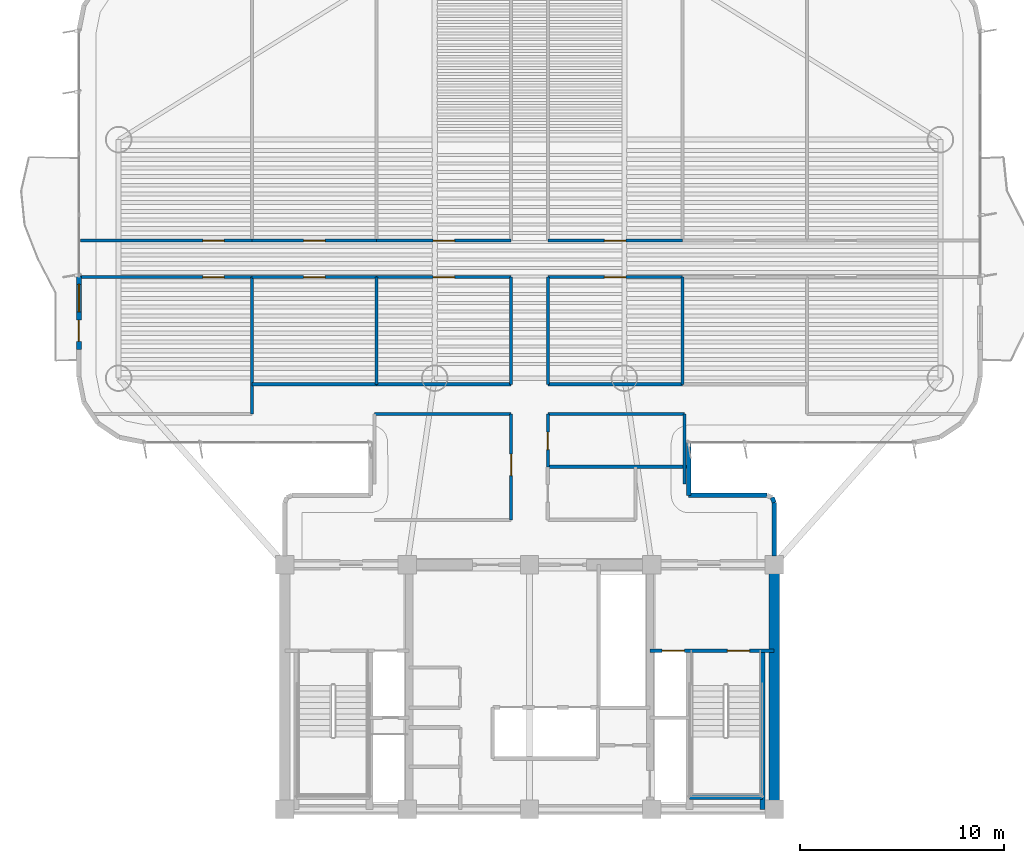
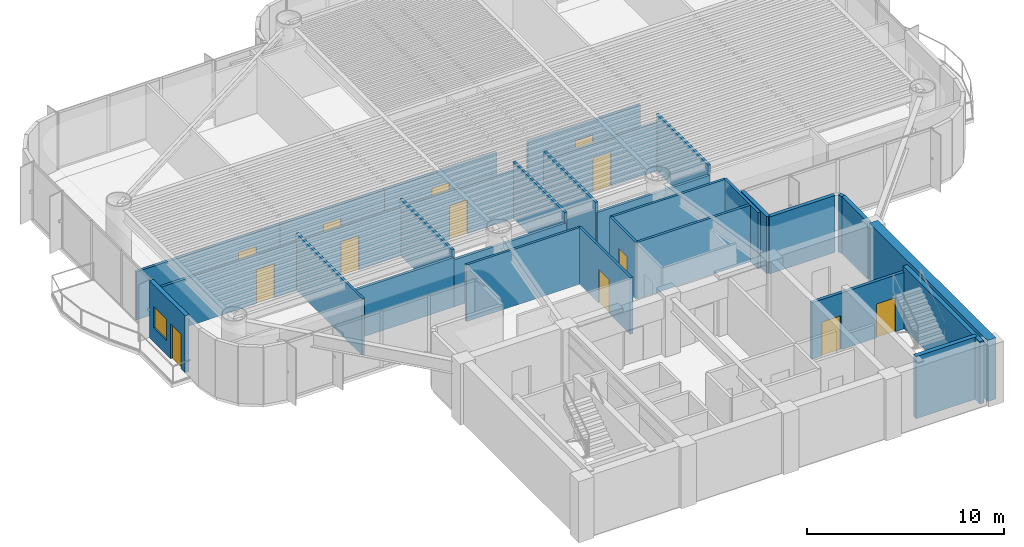
# One storey, part 10 of 16: 31 walls, 13 doors, 1 window, 14 openings.
"""IFC4 building model written with IfcOpenShell, lengths in metres."""

from ifc_helpers import new_model, si_unit, direction, frame, frame_2d, origin, origin_2d, place, context, subcontext, project, spatial, rectangle, extrude, source, transform, mapped, material, layer, layer_set, type_object, element, fill, save


model = new_model("IFC4")

# Units and contexts
model_context = context("Model", 3, precision=1e-05, world=origin(), true_north=direction((0.0, 1.0)))
body_context = subcontext(model_context, "Body", "Model", "MODEL_VIEW")
ifc_project = project(units=[si_unit("LENGTHUNIT", "METRE"), si_unit("AREAUNIT", "SQUARE_METRE"), si_unit("VOLUMEUNIT", "CUBIC_METRE"), si_unit("PLANEANGLEUNIT", "RADIAN"), si_unit("MASSUNIT", "GRAM", prefix="KILO")], contexts=[model_context])

# Site, building, storey
site_placement = place(None, origin())
site = spatial("IfcSite", under=ifc_project, at=site_placement, CompositionType="ELEMENT")
building_placement = place(site_placement, origin())
building = spatial("IfcBuilding", under=site, at=building_placement, Name="Brelvock Crest Care Tower", CompositionType="ELEMENT")
storey_placement = place(building_placement, frame((0.0, 0.0, 116.280029296875)))
storey = spatial("IfcBuildingStorey", under=building, at=storey_placement, Name="L29", CompositionType="ELEMENT", Elevation=116.280029296875)

# Walls
ifc_material_1 = material(Name="Concrete S80 (80 MPa)", Category="concrete")
ifc_layer_1 = layer(ifc_material_1, 0.5, Name="WL-CS2")
ifc_layer_set_1 = layer_set([ifc_layer_1], Name="Concrete S80 (80 MPa)")
wall_type_1 = type_object("IfcWallType", Name="WL-CS2", PredefinedType="SHEAR", material=ifc_layer_set_1)
wall_1_placement = place(storey_placement, frame((48.0, 18.0, 0.0), z_axis=(0.0, 0.0, 1.0), x_axis=(0.0, -1.0, 0.0)))
element("IfcWall", 1, at=wall_1_placement, inside=storey, type_object=wall_type_1, Name="L29 Core East Shear Wall", PredefinedType="SHEAR", context=body_context, shape_type="SweptSolid", body=[
    extrude(rectangle(XDim=12.0, YDim=0.5, at=frame_2d((6.0, 0.0))), origin(), (0.0, 0.0, 1.0), 3.780029296875),
])
ifc_layer_2 = layer(ifc_material_1, 0.25, Name="WL-CS6")
ifc_layer_set_2 = layer_set([ifc_layer_2], Name="Concrete S80 (80 MPa)")
wall_type_2 = type_object("IfcWallType", Name="WL-CS6", PredefinedType="SHEAR", material=ifc_layer_set_2)
wall_2_placement = place(storey_placement, frame((47.419921875, 6.0, 0.0), z_axis=(0.0, 0.0, 1.0), x_axis=(0.0, 1.0, 0.0)))
element("IfcWall", 2, at=wall_2_placement, inside=storey, type_object=wall_type_2, Name="L29 Core Stair ST-2 East Shear Wall", PredefinedType="SHEAR", context=body_context, shape_type="SweptSolid", body=[
    extrude(rectangle(XDim=7.780029296875, YDim=0.25, at=frame_2d((3.89013671875, 0.0))), origin(), (0.0, 0.0, 1.0), 3.849853515625),
])
wall_3_placement = place(storey_placement, frame((43.85009765625, 6.6201171875, 0.0), z_axis=(0.0, 0.0, 1.0), x_axis=(1.0, 0.0, 0.0)))
element("IfcWall", 3, at=wall_3_placement, inside=storey, type_object=wall_type_2, Name="L29 Core Stair ST-2 South Shear Wall", PredefinedType="SHEAR", context=body_context, shape_type="SweptSolid", body=[
    extrude(rectangle(XDim=3.56982421875, YDim=0.25, at=frame_2d((1.784912109375, 0.0))), origin(), (0.0, 0.0, 1.0), 3.849853515625),
])

# Wall, openings, door, window
ifc_material_2 = material(Name="Precast concrete N40 (40 MPa)", Category="concrete")
ifc_layer_3 = layer(ifc_material_2, 0.239990234375, Name="WL-EX1")
ifc_layer_set_3 = layer_set([ifc_layer_3], Name="Precast concrete N40 (40 MPa)")
wall_type_3 = type_object("IfcWallType", Name="WL-EX1", PredefinedType="SOLIDWALL", material=ifc_layer_set_3)
wall_4_placement = place(storey_placement, frame((13.89990234375, 28.550048828125, 0.0), z_axis=(0.0, 0.0, 1.0), x_axis=(0.0, 1.0, 0.0)))
wall_4 = element("IfcWall", 4, at=wall_4_placement, inside=storey, type_object=wall_type_3, Name="L29 Exterior Spandrel Wall WL-BAL-L29-W", PredefinedType="SOLIDWALL", context=body_context, shape_type="SweptSolid", body=[
    extrude(rectangle(XDim=3.599853515625, YDim=0.239990234375, at=frame_2d((1.7998046875, 0.0))), origin(), (0.0, 0.0, 1.0), 3.530029296875),
])
opening_1_placement = place(wall_4_placement, frame((0.39990234375, 0.0, 0.0)))
opening_1 = element("IfcOpeningElement", 5, at=opening_1_placement, cuts=wall_4, Name="Opening BD-1", PredefinedType="OPENING", context=body_context, shape_type="SweptSolid", body=[
    extrude(rectangle(XDim=1.050048828125, YDim=2.14990234375, at=origin_2d()), frame((0.52490234375, 0.1298828125, 1.074951171875), z_axis=(0.0, -1.0, 0.0), x_axis=(1.0, 0.0, 0.0)), (0.0, 0.0, 1.0), 0.260009765625),
])
opening_2_placement = place(wall_4_placement, frame((1.85009765625, 0.0, 0.85009765625)))
opening_2 = element("IfcOpeningElement", 6, at=opening_2_placement, cuts=wall_4, Name="Opening W-01", PredefinedType="OPENING", context=body_context, shape_type="SweptSolid", body=[
    extrude(rectangle(XDim=1.35009765625, YDim=1.35009765625, at=origin_2d()), frame((0.675048828125, 0.1298828125, 0.675048828125), z_axis=(0.0, -1.0, 0.0), x_axis=(1.0, 0.0, 0.0)), (0.0, 0.0, 1.0), 0.260009765625),
])
ifc_material_3 = material(Name="Dark Glass Double Glazed Low-E", Category="glass")
door_type_1 = type_object("IfcDoorType", Name="DR-BAL1", OperationType="NOTDEFINED", PredefinedType="DOOR", material=ifc_material_3)
shared_shape_1 = source(origin(), body_context, "Body", "SweptSolid", [
    extrude(rectangle(XDim=1.050048828125, YDim=2.14990234375, at=origin_2d()), frame((0.52490234375, 0.02490234375, 1.074951171875), z_axis=(0.0, -1.0, 0.0), x_axis=(1.0, 0.0, 0.0)), (0.0, 0.0, 1.0), 0.050048828125),
])
door_1_placement = place(opening_1_placement, origin())
door_1 = element("IfcDoor", 7, at=door_1_placement, inside=storey, type_object=door_type_1, Name="L29 W Wave Balcony Glazed Door", OperationType="SINGLE_SWING_LEFT", OverallHeight=2.14990234375, OverallWidth=1.050048828125, PredefinedType="DOOR", context=body_context, shape_type="MappedRepresentation", body=[
    mapped(shared_shape_1, transform((0.0, 0.0, 0.0), x_axis=(1.0, 0.0, 0.0), y_axis=(0.0, 1.0, 0.0), z_axis=(0.0, 0.0, 1.0), scale=1.0)),
])
fill(opening_1, door_1)
window_type = type_object("IfcWindowType", Name="WN-EX1", PartitioningType="SINGLE_PANEL", PredefinedType="WINDOW", material=ifc_material_3)
shared_shape_2 = source(origin(), body_context, "Body", "SweptSolid", [
    extrude(rectangle(XDim=1.35009765625, YDim=1.35009765625, at=origin_2d()), frame((0.675048828125, 0.030029296875, 0.675048828125), z_axis=(0.0, -1.0, 0.0), x_axis=(1.0, 0.0, 0.0)), (0.0, 0.0, 1.0), 0.06005859375),
])
window_placement = place(opening_2_placement, origin())
window = element("IfcWindow", 8, at=window_placement, inside=storey, type_object=window_type, Name="L29 W Suite Casement Window", OverallHeight=1.35009765625, OverallWidth=1.35009765625, PartitioningType="SINGLE_PANEL", PredefinedType="WINDOW", context=body_context, shape_type="MappedRepresentation", body=[
    mapped(shared_shape_2, transform((0.0, 0.0, 0.0), x_axis=(1.0, 0.0, 0.0), y_axis=(0.0, 1.0, 0.0), z_axis=(0.0, 0.0, 1.0), scale=1.0)),
])
fill(opening_2, window)

# Walls
ifc_layer_4 = layer(ifc_material_2, 0.215087890625, Name="WL-EX2")
ifc_layer_set_4 = layer_set([ifc_layer_4], Name="Precast concrete N40 (40 MPa)")
wall_type_4 = type_object("IfcWallType", Name="WL-EX2", PredefinedType="SOLIDWALL", material=ifc_layer_set_4)
wall_5_placement = place(storey_placement, frame((47.8974609375, 21.297607421875, 0.0), z_axis=(0.0, 0.0, 1.0), x_axis=(0.382673670509, -0.923883575944, 0.0)))
element("IfcWall", 9, at=wall_5_placement, inside=storey, type_object=wall_type_4, Name="L29 Rounded Corner Wall 00", PredefinedType="SOLIDWALL", context=body_context, shape_type="SweptSolid", body=[
    extrude(rectangle(XDim=0.26806640625, YDim=0.215087890625, at=frame_2d((0.134033203125, 0.0))), origin(), (0.0, 0.0, 1.0), 3.530029296875),
])
wall_6_placement = place(storey_placement, frame((48.0, 21.050048828125, 0.0), z_axis=(0.0, 0.0, 1.0), x_axis=(0.0, -1.0, 0.0)))
element("IfcWall", 10, at=wall_6_placement, inside=storey, type_object=wall_type_4, Name="L29 Rounded Corner Wall 01", PredefinedType="SOLIDWALL", context=body_context, shape_type="SweptSolid", body=[
    extrude(rectangle(XDim=2.6201171875, YDim=0.215087890625, at=frame_2d((1.31005859375, 0.0))), origin(), (0.0, 0.0, 1.0), 3.530029296875),
])
wall_7_placement = place(storey_placement, frame((43.800048828125, 24.0, 0.0), z_axis=(0.0, 0.0, 1.0), x_axis=(0.0, -1.0, 0.0)))
element("IfcWall", 11, at=wall_7_placement, inside=storey, type_object=wall_type_4, Name="L29 Rounded Corner Wall 45", PredefinedType="SOLIDWALL", context=body_context, shape_type="SweptSolid", body=[
    extrude(rectangle(XDim=2.60009765625, YDim=0.215087890625, at=frame_2d((1.300048828125, 0.0))), origin(), (0.0, 0.0, 1.0), 3.530029296875),
])
wall_8_placement = place(storey_placement, frame((43.800048828125, 21.39990234375, 0.0), z_axis=(0.0, 0.0, 1.0), x_axis=(1.0, 0.0, 0.0)))
element("IfcWall", 12, at=wall_8_placement, inside=storey, type_object=wall_type_4, Name="L29 Rounded Corner Wall 46", PredefinedType="SOLIDWALL", context=body_context, shape_type="SweptSolid", body=[
    extrude(rectangle(XDim=3.849853515625, YDim=0.215087890625, at=frame_2d((1.9248046875, 0.0))), origin(), (0.0, 0.0, 1.0), 3.530029296875),
])
ifc_material_4 = material(Name="Masonry Blockwork Acoustic Partition", Category="masonry")
ifc_layer_5 = layer(ifc_material_4, 0.14990234375, Name="WL-INT1")
ifc_layer_set_5 = layer_set([ifc_layer_5], Name="Masonry Blockwork Acoustic Partition")
wall_type_5 = type_object("IfcWallType", Name="WL-INT1", PredefinedType="PARTITIONING", material=ifc_layer_set_5)
for number, where, z_axis, x_axis, name in (
    (13, (28.39990234375, 25.39990234375, 0.0), (0.0, 0.0, 1.0), (1.0, 0.0, 0.0), "L29 Interior Wall WL-BX-L29-THW-N"),
    (14, (36.89990234375, 25.39990234375, 0.0), (0.0, 0.0, 1.0), (1.0, 0.0, 0.0), "L29 Interior Wall WL-BX-L29-THE2-N"),
):
    element("IfcWall", number, at=place(storey_placement, frame(where, z_axis=z_axis, x_axis=x_axis)), inside=storey, type_object=wall_type_5, Name=name, PredefinedType="PARTITIONING", context=body_context, shape_type="SweptSolid", body=[
        extrude(rectangle(XDim=6.7001953125, YDim=0.14990234375, at=frame_2d((3.35009765625, 0.0))), origin(), (0.0, 0.0, 1.0), 3.5),
    ])
wall_9_placement = place(storey_placement, frame((22.39990234375, 26.85009765625, 0.0), z_axis=(0.0, 0.0, 1.0), x_axis=(1.0, 0.0, 0.0)))
element("IfcWall", 15, at=wall_9_placement, inside=storey, type_object=wall_type_5, Name="L29 Interior Wall WL-BX-L29-ISWA-S", PredefinedType="PARTITIONING", context=body_context, shape_type="SweptSolid", body=[
    extrude(rectangle(XDim=6.10009765625, YDim=0.14990234375, at=frame_2d((3.050048828125, 0.0))), origin(), (0.0, 0.0, 1.0), 3.054931640625),
])
for number, where, z_axis, x_axis, name in (
    (16, (28.5, 26.85009765625, 0.0), (0.0, 0.0, 1.0), (1.0, 0.0, 0.0), "L29 Interior Wall WL-BX-L29-ISWB-S"),
    (17, (36.89990234375, 26.85009765625, 0.0), (0.0, 0.0, 1.0), (1.0, 0.0, 0.0), "L29 Interior Wall WL-BX-L29-ISEA-S"),
):
    element("IfcWall", number, at=place(storey_placement, frame(where, z_axis=z_axis, x_axis=x_axis)), inside=storey, type_object=wall_type_5, Name=name, PredefinedType="PARTITIONING", context=body_context, shape_type="SweptSolid", body=[
        extrude(rectangle(XDim=6.60009765625, YDim=0.14990234375, at=frame_2d((3.300048828125, 0.0))), origin(), (0.0, 0.0, 1.0), 2.903076171875),
    ])

# Wall, opening, door
wall_10_placement = place(storey_placement, frame((13.97998046875, 32.10009765625, 0.0), z_axis=(0.0, 0.0, 1.0), x_axis=(1.0, 0.0, 0.0)))
wall_10 = element("IfcWall", 18, at=wall_10_placement, inside=storey, type_object=wall_type_5, Name="L29 Interior Wall WL-RM-L29-SW", PredefinedType="PARTITIONING", context=body_context, shape_type="SweptSolid", body=[
    extrude(rectangle(XDim=8.419921875, YDim=0.14990234375, at=frame_2d((4.2099609375, 0.0))), origin(), (0.0, 0.0, 1.0), 2.98193359375),
])
opening_3_placement = place(wall_10_placement, frame((5.9951171875, 0.0, 0.0)))
opening_3 = element("IfcOpeningElement", 19, at=opening_3_placement, cuts=wall_10, Name="Opening CLD-1", PredefinedType="OPENING", context=body_context, shape_type="SweptSolid", body=[
    extrude(rectangle(XDim=1.050048828125, YDim=2.10009765625, at=origin_2d()), frame((0.52490234375, 0.0849609375, 1.050048828125), z_axis=(0.0, -1.0, 0.0), x_axis=(1.0, 0.0, 0.0)), (0.0, 0.0, 1.0), 0.169921875),
])
ifc_material_5 = material(Name="Engineered Hardwood Timber", Category="wood")
door_type_2 = type_object("IfcDoorType", Name="DR-CLN1", OperationType="NOTDEFINED", PredefinedType="DOOR", material=ifc_material_5)
shared_shape_3 = source(origin(), body_context, "Body", "SweptSolid", [
    extrude(rectangle(XDim=1.050048828125, YDim=2.10009765625, at=origin_2d()), frame((0.52490234375, 0.02490234375, 1.050048828125), z_axis=(0.0, -1.0, 0.0), x_axis=(1.0, 0.0, 0.0)), (0.0, 0.0, 1.0), 0.050048828125),
])
door_2_placement = place(opening_3_placement, origin())
door_2 = element("IfcDoor", 20, at=door_2_placement, inside=storey, type_object=door_type_2, Name="L29 Rehabilitation Therapy Suite Door SW", OperationType="SINGLE_SWING_LEFT", OverallHeight=2.10009765625, OverallWidth=1.050048828125, PredefinedType="DOOR", context=body_context, shape_type="MappedRepresentation", body=[
    mapped(shared_shape_3, transform((0.0, 0.0, 0.0), x_axis=(1.0, 0.0, 0.0), y_axis=(0.0, 1.0, 0.0), z_axis=(0.0, 0.0, 1.0), scale=1.0)),
])
fill(opening_3, door_2)

wall_11_placement = place(storey_placement, frame((22.39990234375, 32.10009765625, 0.0), z_axis=(0.0, 0.0, 1.0), x_axis=(1.0, 0.0, 0.0)))
wall_11 = element("IfcWall", 21, at=wall_11_placement, inside=storey, type_object=wall_type_5, Name="L29 Interior Wall WL-RM-L29-ISWA", PredefinedType="PARTITIONING", context=body_context, shape_type="SweptSolid", body=[
    extrude(rectangle(XDim=6.10009765625, YDim=0.14990234375, at=frame_2d((3.050048828125, 0.0))), origin(), (0.0, 0.0, 1.0), 2.98193359375),
])
opening_4_placement = place(wall_11_placement, frame((2.52490234375, 0.0, 0.0)))
opening_4 = element("IfcOpeningElement", 22, at=opening_4_placement, cuts=wall_11, Name="Opening CLD-1", PredefinedType="OPENING", context=body_context, shape_type="SweptSolid", body=[
    extrude(rectangle(XDim=1.050048828125, YDim=2.10009765625, at=origin_2d()), frame((0.52490234375, 0.0849609375, 1.050048828125), z_axis=(0.0, -1.0, 0.0), x_axis=(1.0, 0.0, 0.0)), (0.0, 0.0, 1.0), 0.169921875),
])
door_3_placement = place(opening_4_placement, origin())
door_3 = element("IfcDoor", 23, at=door_3_placement, inside=storey, type_object=door_type_2, Name="L29 Occupational Rehab Gym Door ISWA", OperationType="SINGLE_SWING_LEFT", OverallHeight=2.10009765625, OverallWidth=1.050048828125, PredefinedType="DOOR", context=body_context, shape_type="MappedRepresentation", body=[
    mapped(shared_shape_3, transform((0.0, 0.0, 0.0), x_axis=(1.0, 0.0, 0.0), y_axis=(0.0, 1.0, 0.0), z_axis=(0.0, 0.0, 1.0), scale=1.0)),
])
fill(opening_4, door_3)

wall_12_placement = place(storey_placement, frame((28.5, 32.10009765625, 0.0), z_axis=(0.0, 0.0, 1.0), x_axis=(1.0, 0.0, 0.0)))
wall_12 = element("IfcWall", 24, at=wall_12_placement, inside=storey, type_object=wall_type_5, Name="L29 Interior Wall WL-RM-L29-ISWB", PredefinedType="PARTITIONING", context=body_context, shape_type="SweptSolid", body=[
    extrude(rectangle(XDim=6.60009765625, YDim=0.14990234375, at=frame_2d((3.300048828125, 0.0))), origin(), (0.0, 0.0, 1.0), 2.98193359375),
])
opening_5_placement = place(wall_12_placement, frame((2.77490234375, 0.0, 0.0)))
opening_5 = element("IfcOpeningElement", 25, at=opening_5_placement, cuts=wall_12, Name="Opening CLD-1", PredefinedType="OPENING", context=body_context, shape_type="SweptSolid", body=[
    extrude(rectangle(XDim=1.050048828125, YDim=2.10009765625, at=origin_2d()), frame((0.52490234375, 0.0849609375, 1.050048828125), z_axis=(0.0, -1.0, 0.0), x_axis=(1.0, 0.0, 0.0)), (0.0, 0.0, 1.0), 0.169921875),
])
door_4_placement = place(opening_5_placement, origin())
door_4 = element("IfcDoor", 26, at=door_4_placement, inside=storey, type_object=door_type_2, Name="L29 Geriatric Hydro-Consultation Door ISWB", OperationType="SINGLE_SWING_LEFT", OverallHeight=2.10009765625, OverallWidth=1.050048828125, PredefinedType="DOOR", context=body_context, shape_type="MappedRepresentation", body=[
    mapped(shared_shape_3, transform((0.0, 0.0, 0.0), x_axis=(1.0, 0.0, 0.0), y_axis=(0.0, 1.0, 0.0), z_axis=(0.0, 0.0, 1.0), scale=1.0)),
])
fill(opening_5, door_4)

wall_13_placement = place(storey_placement, frame((36.89990234375, 32.10009765625, 0.0), z_axis=(0.0, 0.0, 1.0), x_axis=(1.0, 0.0, 0.0)))
wall_13 = element("IfcWall", 27, at=wall_13_placement, inside=storey, type_object=wall_type_5, Name="L29 Interior Wall WL-RM-L29-ISEA", PredefinedType="PARTITIONING", context=body_context, shape_type="SweptSolid", body=[
    extrude(rectangle(XDim=6.60009765625, YDim=0.14990234375, at=frame_2d((3.300048828125, 0.0))), origin(), (0.0, 0.0, 1.0), 2.98193359375),
])
opening_6_placement = place(wall_13_placement, frame((2.77490234375, 0.0, 0.0)))
opening_6 = element("IfcOpeningElement", 28, at=opening_6_placement, cuts=wall_13, Name="Opening CLD-1", PredefinedType="OPENING", context=body_context, shape_type="SweptSolid", body=[
    extrude(rectangle(XDim=1.050048828125, YDim=2.10009765625, at=origin_2d()), frame((0.52490234375, 0.0849609375, 1.050048828125), z_axis=(0.0, -1.0, 0.0), x_axis=(1.0, 0.0, 0.0)), (0.0, 0.0, 1.0), 0.169921875),
])
door_5_placement = place(opening_6_placement, origin())
door_5 = element("IfcDoor", 29, at=door_5_placement, inside=storey, type_object=door_type_2, Name="L29 Occupational Rehab Gym Door ISEA", OperationType="SINGLE_SWING_LEFT", OverallHeight=2.10009765625, OverallWidth=1.050048828125, PredefinedType="DOOR", context=body_context, shape_type="MappedRepresentation", body=[
    mapped(shared_shape_3, transform((0.0, 0.0, 0.0), x_axis=(1.0, 0.0, 0.0), y_axis=(0.0, 1.0, 0.0), z_axis=(0.0, 0.0, 1.0), scale=1.0)),
])
fill(opening_6, door_5)

wall_14_placement = place(storey_placement, frame((13.97998046875, 33.89990234375, 0.0), z_axis=(0.0, 0.0, 1.0), x_axis=(1.0, 0.0, 0.0)))
wall_14 = element("IfcWall", 30, at=wall_14_placement, inside=storey, type_object=wall_type_5, Name="L29 Interior Wall WL-RM-L29-NW", PredefinedType="PARTITIONING", context=body_context, shape_type="SweptSolid", body=[
    extrude(rectangle(XDim=8.419921875, YDim=0.14990234375, at=frame_2d((4.2099609375, 0.0))), origin(), (0.0, 0.0, 1.0), 2.98193359375),
])
opening_7_placement = place(wall_14_placement, frame((5.9951171875, 0.0, 0.0)))
opening_7 = element("IfcOpeningElement", 31, at=opening_7_placement, cuts=wall_14, Name="Opening CLD-1", PredefinedType="OPENING", context=body_context, shape_type="SweptSolid", body=[
    extrude(rectangle(XDim=1.050048828125, YDim=2.10009765625, at=origin_2d()), frame((0.52490234375, 0.0849609375, 1.050048828125), z_axis=(0.0, -1.0, 0.0), x_axis=(1.0, 0.0, 0.0)), (0.0, 0.0, 1.0), 0.169921875),
])
door_6_placement = place(opening_7_placement, origin())
door_6 = element("IfcDoor", 32, at=door_6_placement, inside=storey, type_object=door_type_2, Name="L29 Rehabilitation Therapy Suite Door NW", OperationType="SINGLE_SWING_LEFT", OverallHeight=2.10009765625, OverallWidth=1.050048828125, PredefinedType="DOOR", context=body_context, shape_type="MappedRepresentation", body=[
    mapped(shared_shape_3, transform((0.0, 0.0, 0.0), x_axis=(1.0, 0.0, 0.0), y_axis=(0.0, 1.0, 0.0), z_axis=(0.0, 0.0, 1.0), scale=1.0)),
])
fill(opening_7, door_6)

wall_15_placement = place(storey_placement, frame((22.39990234375, 33.89990234375, 0.0), z_axis=(0.0, 0.0, 1.0), x_axis=(1.0, 0.0, 0.0)))
wall_15 = element("IfcWall", 33, at=wall_15_placement, inside=storey, type_object=wall_type_5, Name="L29 Interior Wall WL-RM-L29-INWA", PredefinedType="PARTITIONING", context=body_context, shape_type="SweptSolid", body=[
    extrude(rectangle(XDim=6.10009765625, YDim=0.14990234375, at=frame_2d((3.050048828125, 0.0))), origin(), (0.0, 0.0, 1.0), 2.98193359375),
])
opening_8_placement = place(wall_15_placement, frame((2.52490234375, 0.0, 0.0)))
opening_8 = element("IfcOpeningElement", 34, at=opening_8_placement, cuts=wall_15, Name="Opening CLD-1", PredefinedType="OPENING", context=body_context, shape_type="SweptSolid", body=[
    extrude(rectangle(XDim=1.050048828125, YDim=2.10009765625, at=origin_2d()), frame((0.52490234375, 0.0849609375, 1.050048828125), z_axis=(0.0, -1.0, 0.0), x_axis=(1.0, 0.0, 0.0)), (0.0, 0.0, 1.0), 0.169921875),
])
door_7_placement = place(opening_8_placement, origin())
door_7 = element("IfcDoor", 35, at=door_7_placement, inside=storey, type_object=door_type_2, Name="L29 Occupational Rehab Gym Door INWA", OperationType="SINGLE_SWING_LEFT", OverallHeight=2.10009765625, OverallWidth=1.050048828125, PredefinedType="DOOR", context=body_context, shape_type="MappedRepresentation", body=[
    mapped(shared_shape_3, transform((0.0, 0.0, 0.0), x_axis=(1.0, 0.0, 0.0), y_axis=(0.0, 1.0, 0.0), z_axis=(0.0, 0.0, 1.0), scale=1.0)),
])
fill(opening_8, door_7)

wall_16_placement = place(storey_placement, frame((28.5, 33.89990234375, 0.0), z_axis=(0.0, 0.0, 1.0), x_axis=(1.0, 0.0, 0.0)))
wall_16 = element("IfcWall", 36, at=wall_16_placement, inside=storey, type_object=wall_type_5, Name="L29 Interior Wall WL-RM-L29-INWB", PredefinedType="PARTITIONING", context=body_context, shape_type="SweptSolid", body=[
    extrude(rectangle(XDim=6.60009765625, YDim=0.14990234375, at=frame_2d((3.300048828125, 0.0))), origin(), (0.0, 0.0, 1.0), 2.98193359375),
])
opening_9_placement = place(wall_16_placement, frame((2.77490234375, 0.0, 0.0)))
opening_9 = element("IfcOpeningElement", 37, at=opening_9_placement, cuts=wall_16, Name="Opening CLD-1", PredefinedType="OPENING", context=body_context, shape_type="SweptSolid", body=[
    extrude(rectangle(XDim=1.050048828125, YDim=2.10009765625, at=origin_2d()), frame((0.52490234375, 0.0849609375, 1.050048828125), z_axis=(0.0, -1.0, 0.0), x_axis=(1.0, 0.0, 0.0)), (0.0, 0.0, 1.0), 0.169921875),
])
door_8_placement = place(opening_9_placement, origin())
door_8 = element("IfcDoor", 38, at=door_8_placement, inside=storey, type_object=door_type_2, Name="L29 Geriatric Hydro-Consultation Door INWB", OperationType="SINGLE_SWING_LEFT", OverallHeight=2.10009765625, OverallWidth=1.050048828125, PredefinedType="DOOR", context=body_context, shape_type="MappedRepresentation", body=[
    mapped(shared_shape_3, transform((0.0, 0.0, 0.0), x_axis=(1.0, 0.0, 0.0), y_axis=(0.0, 1.0, 0.0), z_axis=(0.0, 0.0, 1.0), scale=1.0)),
])
fill(opening_9, door_8)

wall_17_placement = place(storey_placement, frame((36.89990234375, 33.89990234375, 0.0), z_axis=(0.0, 0.0, 1.0), x_axis=(1.0, 0.0, 0.0)))
wall_17 = element("IfcWall", 39, at=wall_17_placement, inside=storey, type_object=wall_type_5, Name="L29 Interior Wall WL-RM-L29-INEA", PredefinedType="PARTITIONING", context=body_context, shape_type="SweptSolid", body=[
    extrude(rectangle(XDim=6.60009765625, YDim=0.14990234375, at=frame_2d((3.300048828125, 0.0))), origin(), (0.0, 0.0, 1.0), 2.98193359375),
])
opening_10_placement = place(wall_17_placement, frame((2.77490234375, 0.0, 0.0)))
opening_10 = element("IfcOpeningElement", 40, at=opening_10_placement, cuts=wall_17, Name="Opening CLD-1", PredefinedType="OPENING", context=body_context, shape_type="SweptSolid", body=[
    extrude(rectangle(XDim=1.050048828125, YDim=2.10009765625, at=origin_2d()), frame((0.52490234375, 0.0849609375, 1.050048828125), z_axis=(0.0, -1.0, 0.0), x_axis=(1.0, 0.0, 0.0)), (0.0, 0.0, 1.0), 0.169921875),
])
door_9_placement = place(opening_10_placement, origin())
door_9 = element("IfcDoor", 41, at=door_9_placement, inside=storey, type_object=door_type_2, Name="L29 Occupational Rehab Gym Door INEA", OperationType="SINGLE_SWING_LEFT", OverallHeight=2.10009765625, OverallWidth=1.050048828125, PredefinedType="DOOR", context=body_context, shape_type="MappedRepresentation", body=[
    mapped(shared_shape_3, transform((0.0, 0.0, 0.0), x_axis=(1.0, 0.0, 0.0), y_axis=(0.0, 1.0, 0.0), z_axis=(0.0, 0.0, 1.0), scale=1.0)),
])
fill(opening_10, door_9)

# Walls
wall_18_placement = place(storey_placement, frame((22.39990234375, 25.39990234375, 0.0), z_axis=(0.0, 0.0, 1.0), x_axis=(0.0, 1.0, 0.0)))
element("IfcWall", 42, at=wall_18_placement, inside=storey, type_object=wall_type_5, Name="L29 Interior Wall WL-BX-L29-SW-E", PredefinedType="PARTITIONING", context=body_context, shape_type="SweptSolid", body=[
    extrude(rectangle(XDim=6.7001953125, YDim=0.14990234375, at=frame_2d((3.35009765625, 0.0))), origin(), (0.0, 0.0, 1.0), 3.5),
])
wall_19_placement = place(storey_placement, frame((28.5, 26.85009765625, 0.0), z_axis=(0.0, 0.0, 1.0), x_axis=(0.0, 1.0, 0.0)))
element("IfcWall", 43, at=wall_19_placement, inside=storey, type_object=wall_type_5, Name="L29 Interior Wall WL-BX-L29-ISWA-E", PredefinedType="PARTITIONING", context=body_context, shape_type="SweptSolid", body=[
    extrude(rectangle(XDim=5.25, YDim=0.14990234375, at=frame_2d((2.625, 0.0))), origin(), (0.0, 0.0, 1.0), 3.5),
])

# Wall, opening, door
wall_20_placement = place(storey_placement, frame((35.10009765625, 20.199951171875, 0.0), z_axis=(0.0, 0.0, 1.0), x_axis=(0.0, 1.0, 0.0)))
wall_20 = element("IfcWall", 44, at=wall_20_placement, inside=storey, type_object=wall_type_5, Name="L29 Interior Wall WL-RM-L29-THW", PredefinedType="PARTITIONING", context=body_context, shape_type="SweptSolid", body=[
    extrude(rectangle(XDim=5.199951171875, YDim=0.14990234375, at=frame_2d((2.60009765625, 0.0))), origin(), (0.0, 0.0, 1.0), 3.5),
])
opening_11_placement = place(wall_20_placement, frame((2.175048828125, 0.0, 0.0)))
opening_11 = element("IfcOpeningElement", 45, at=opening_11_placement, cuts=wall_20, Name="Opening CLD-1", PredefinedType="OPENING", context=body_context, shape_type="SweptSolid", body=[
    extrude(rectangle(XDim=1.050048828125, YDim=2.10009765625, at=origin_2d()), frame((0.52490234375, 0.0849609375, 1.050048828125), z_axis=(0.0, -1.0, 0.0), x_axis=(1.0, 0.0, 0.0)), (0.0, 0.0, 1.0), 0.169921875),
])
door_10_placement = place(opening_11_placement, origin())
door_10 = element("IfcDoor", 46, at=door_10_placement, inside=storey, type_object=door_type_2, Name="L29 Allied Health Consultation Room Door THW", OperationType="SINGLE_SWING_LEFT", OverallHeight=2.10009765625, OverallWidth=1.050048828125, PredefinedType="DOOR", context=body_context, shape_type="MappedRepresentation", body=[
    mapped(shared_shape_3, transform((0.0, 0.0, 0.0), x_axis=(1.0, 0.0, 0.0), y_axis=(0.0, 1.0, 0.0), z_axis=(0.0, 0.0, 1.0), scale=1.0)),
])
fill(opening_11, door_10)

# Wall
wall_21_placement = place(storey_placement, frame((35.10009765625, 26.85009765625, 0.0), z_axis=(0.0, 0.0, 1.0), x_axis=(0.0, 1.0, 0.0)))
element("IfcWall", 47, at=wall_21_placement, inside=storey, type_object=wall_type_5, Name="L29 Interior Wall WL-BX-L29-ISWB-E", PredefinedType="PARTITIONING", context=body_context, shape_type="SweptSolid", body=[
    extrude(rectangle(XDim=5.25, YDim=0.14990234375, at=frame_2d((2.625, 0.0))), origin(), (0.0, 0.0, 1.0), 3.5),
])

# Wall, opening, door
wall_22_placement = place(storey_placement, frame((36.89990234375, 22.800048828125, 0.0), z_axis=(0.0, 0.0, 1.0), x_axis=(0.0, 1.0, 0.0)))
wall_22 = element("IfcWall", 48, at=wall_22_placement, inside=storey, type_object=wall_type_5, Name="L29 Interior Wall WL-RM-L29-THE2", PredefinedType="PARTITIONING", context=body_context, shape_type="SweptSolid", body=[
    extrude(rectangle(XDim=2.599853515625, YDim=0.14990234375, at=frame_2d((1.2998046875, 0.0))), origin(), (0.0, 0.0, 1.0), 3.5),
])
opening_12_placement = place(wall_22_placement, frame((0.840087890625, 0.0, 0.0)))
opening_12 = element("IfcOpeningElement", 49, at=opening_12_placement, cuts=wall_22, Name="Opening ID-1", PredefinedType="OPENING", context=body_context, shape_type="SweptSolid", body=[
    extrude(rectangle(XDim=0.860107421875, YDim=2.10009765625, at=origin_2d()), frame((0.43017578125, 0.0849609375, 1.050048828125), z_axis=(0.0, -1.0, 0.0), x_axis=(1.0, 0.0, 0.0)), (0.0, 0.0, 1.0), 0.169921875),
])
door_type_3 = type_object("IfcDoorType", Name="DR-INT1", OperationType="NOTDEFINED", PredefinedType="DOOR", material=ifc_material_5)
shared_shape_4 = source(origin(), body_context, "Body", "SweptSolid", [
    extrude(rectangle(XDim=0.860107421875, YDim=2.10009765625, at=origin_2d()), frame((0.43017578125, 0.02490234375, 1.050048828125), z_axis=(0.0, -1.0, 0.0), x_axis=(1.0, 0.0, 0.0)), (0.0, 0.0, 1.0), 0.050048828125),
])
door_11_placement = place(opening_12_placement, origin())
door_11 = element("IfcDoor", 50, at=door_11_placement, inside=storey, type_object=door_type_3, Name="L29 Care Coordinator Office Door THE2", OperationType="SINGLE_SWING_LEFT", OverallHeight=2.10009765625, OverallWidth=0.860107421875, PredefinedType="DOOR", context=body_context, shape_type="MappedRepresentation", body=[
    mapped(shared_shape_4, transform((0.0, 0.0, 0.0), x_axis=(1.0, 0.0, 0.0), y_axis=(0.0, 1.0, 0.0), z_axis=(0.0, 0.0, 1.0), scale=1.0)),
])
fill(opening_12, door_11)

# Walls
for number, where, z_axis, x_axis, name in (
    (51, (36.89990234375, 26.85009765625, 0.0), (0.0, 0.0, 1.0), (0.0, 1.0, 0.0), "L29 Interior Wall WL-BX-L29-ISEA-W"),
    (52, (43.5, 26.85009765625, 0.0), (0.0, 0.0, 1.0), (0.0, 1.0, 0.0), "L29 Interior Wall WL-BX-L29-ISEA-E"),
):
    element("IfcWall", number, at=place(storey_placement, frame(where, z_axis=z_axis, x_axis=x_axis)), inside=storey, type_object=wall_type_5, Name=name, PredefinedType="PARTITIONING", context=body_context, shape_type="SweptSolid", body=[
        extrude(rectangle(XDim=5.25, YDim=0.14990234375, at=frame_2d((2.625, 0.0))), origin(), (0.0, 0.0, 1.0), 3.5),
    ])
wall_23_placement = place(storey_placement, frame((43.60009765625, 21.95751953125, 0.0), z_axis=(0.0, 0.0, 1.0), x_axis=(0.0, 1.0, 0.0)))
element("IfcWall", 53, at=wall_23_placement, inside=storey, type_object=wall_type_5, Name="L29 Interior Wall WL-BX-L29-THE2-E", PredefinedType="PARTITIONING", context=body_context, shape_type="SweptSolid", body=[
    extrude(rectangle(XDim=3.4423828125, YDim=0.14990234375, at=frame_2d((1.72119140625, 0.0))), origin(), (0.0, 0.0, 1.0), 3.5),
])
ifc_material_6 = material(Name="Gypsum Plasterboard Partition", Category="gypsum")
ifc_layer_6 = layer(ifc_material_6, 0.159912109375, Name="WL-PLM1")
ifc_layer_set_6 = layer_set([ifc_layer_6], Name="Gypsum Plasterboard Partition")
wall_type_6 = type_object("IfcWallType", Name="WL-PLM1", PredefinedType="PLUMBINGWALL", material=ifc_layer_set_6)
wall_24_placement = place(storey_placement, frame((36.89990234375, 22.800048828125, 0.0), z_axis=(0.0, 0.0, 1.0), x_axis=(1.0, 0.0, 0.0)))
element("IfcWall", 54, at=wall_24_placement, inside=storey, type_object=wall_type_6, Name="L29 Interior Wall WL-BX-L29-THE2-S", PredefinedType="PLUMBINGWALL", context=body_context, shape_type="SweptSolid", body=[
    extrude(rectangle(XDim=6.820068359375, YDim=0.159912109375, at=frame_2d((3.41015625, 0.0))), origin(), (0.0, 0.0, 1.0), 3.5),
])

# Wall, openings, doors
ifc_layer_7 = layer(ifc_material_4, 0.179931640625, Name="WL-SHF1")
ifc_layer_set_7 = layer_set([ifc_layer_7], Name="Masonry Blockwork Acoustic Partition")
wall_type_7 = type_object("IfcWallType", Name="WL-SHF1", PredefinedType="PARTITIONING", material=ifc_layer_set_7)
wall_25_placement = place(storey_placement, frame((41.89990234375, 13.780029296875, 0.0), z_axis=(0.0, 0.0, 1.0), x_axis=(1.0, 0.0, 0.0)))
wall_25 = element("IfcWall", 55, at=wall_25_placement, inside=storey, type_object=wall_type_7, Name="L29 Interior Wall WL-ST2-N-L29", PredefinedType="PARTITIONING", context=body_context, shape_type="SweptSolid", body=[
    extrude(rectangle(XDim=6.10009765625, YDim=0.179931640625, at=frame_2d((3.050048828125, 0.0))), origin(), (0.0, 0.0, 1.0), 3.5),
])
opening_13_placement = place(wall_25_placement, frame((0.60009765625, 0.0, 0.0)))
opening_13 = element("IfcOpeningElement", 56, at=opening_13_placement, cuts=wall_25, Name="Opening LD", PredefinedType="OPENING", context=body_context, shape_type="SweptSolid", body=[
    extrude(rectangle(XDim=1.10009765625, YDim=2.10009765625, at=origin_2d()), frame((0.550048828125, 0.10009765625, 1.050048828125), z_axis=(0.0, -1.0, 0.0), x_axis=(1.0, 0.0, 0.0)), (0.0, 0.0, 1.0), 0.199951171875),
])
opening_14_placement = place(wall_25_placement, frame((3.800048828125, 0.0, 0.0)))
opening_14 = element("IfcOpeningElement", 57, at=opening_14_placement, cuts=wall_25, Name="Opening SD-1", PredefinedType="OPENING", context=body_context, shape_type="SweptSolid", body=[
    extrude(rectangle(XDim=1.10009765625, YDim=2.10009765625, at=origin_2d()), frame((0.550048828125, 0.10009765625, 1.050048828125), z_axis=(0.0, -1.0, 0.0), x_axis=(1.0, 0.0, 0.0)), (0.0, 0.0, 1.0), 0.199951171875),
])
ifc_material_7 = material(Name="Steel Grade 350", Category="steel")
door_type_4 = type_object("IfcDoorType", Name="DR-ST1", OperationType="NOTDEFINED", PredefinedType="DOOR", material=ifc_material_7)
shared_shape_5 = source(origin(), body_context, "Body", "SweptSolid", [
    extrude(rectangle(XDim=1.10009765625, YDim=2.10009765625, at=origin_2d()), frame((0.550048828125, 0.02490234375, 1.050048828125), z_axis=(0.0, -1.0, 0.0), x_axis=(1.0, 0.0, 0.0)), (0.0, 0.0, 1.0), 0.050048828125),
])
door_12_placement = place(opening_14_placement, origin())
door_12 = element("IfcDoor", 58, at=door_12_placement, inside=storey, type_object=door_type_4, Name="L29 Fire Stair ST-2 Door", OperationType="SINGLE_SWING_RIGHT", OverallHeight=2.10009765625, OverallWidth=1.10009765625, PredefinedType="DOOR", context=body_context, shape_type="MappedRepresentation", body=[
    mapped(shared_shape_5, transform((0.0, 0.0, 0.0), x_axis=(1.0, 0.0, 0.0), y_axis=(0.0, 1.0, 0.0), z_axis=(0.0, 0.0, 1.0), scale=1.0)),
])
fill(opening_14, door_12)
door_type_5 = type_object("IfcDoorType", Name="DR-LD1", OperationType="NOTDEFINED", PredefinedType="DOOR", material=ifc_material_7)
shared_shape_6 = source(origin(), body_context, "Body", "SweptSolid", [
    extrude(rectangle(XDim=1.10009765625, YDim=2.10009765625, at=origin_2d()), frame((0.550048828125, 0.02490234375, 1.050048828125), z_axis=(0.0, -1.0, 0.0), x_axis=(1.0, 0.0, 0.0)), (0.0, 0.0, 1.0), 0.050048828125),
])
door_13_placement = place(opening_13_placement, origin())
door_13 = element("IfcDoor", 59, at=door_13_placement, inside=storey, type_object=door_type_5, Name="L29 Firefighting Lift FFL-2 Landing Door", OperationType="SLIDING_TO_RIGHT", OverallHeight=2.10009765625, OverallWidth=1.10009765625, PredefinedType="DOOR", context=body_context, shape_type="MappedRepresentation", body=[
    mapped(shared_shape_6, transform((0.0, 0.0, 0.0), x_axis=(1.0, 0.0, 0.0), y_axis=(0.0, 1.0, 0.0), z_axis=(0.0, 0.0, 1.0), scale=1.0)),
])
fill(opening_13, door_13)

save(model, "model.ifc")
